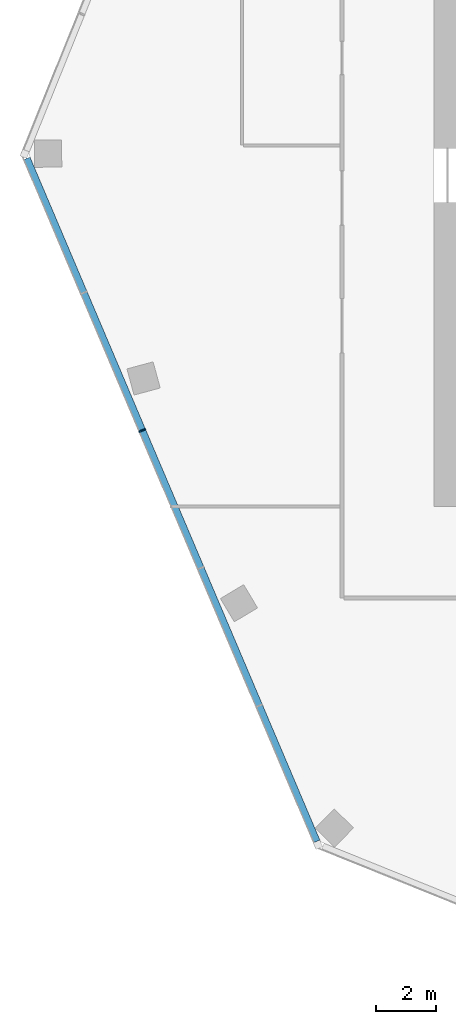
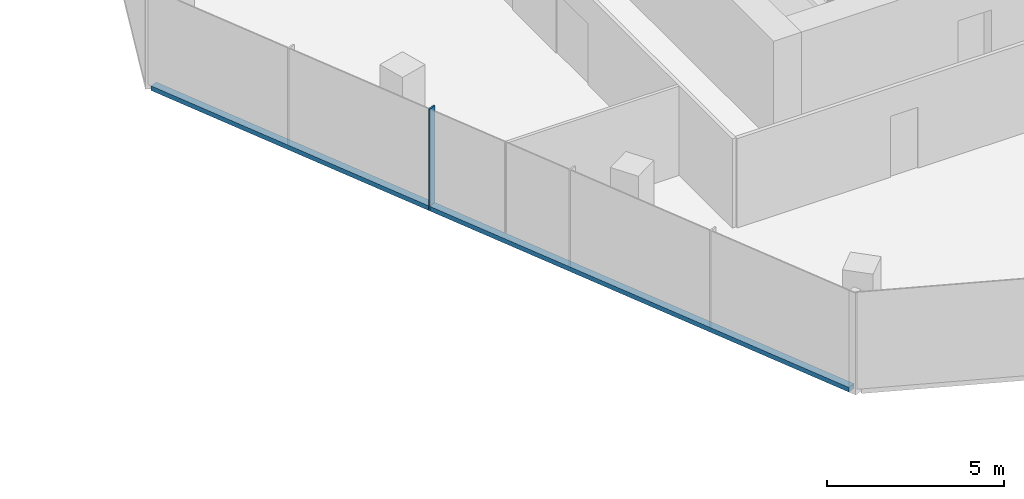
# One storey, part 3 of 16: 2 members, 1 element without a shape of its own.
"""IFC4 building model written with IfcOpenShell, lengths in metres."""

import ifcopenshell
import ifcopenshell.guid

model = None  # the IFC model being written
_history = None  # IfcOwnerHistory: only IFC2X3 demands one
_inside = {}  # id of a spatial element -> (the spatial element, [elements in it])
_under = {}  # id of a project, library or spatial element -> (it, [spatial elements below it])
_declared = {}  # id of a project -> (the project, [libraries it declares])
_typed = {}  # id of a type object -> (the type object, [elements of that type])
_made_of = {}  # id of a material, layer set ... -> (it, [elements and type objects made of it])


def new_model(schema):
    """Start an empty IFC model of exactly this schema.

    Asked for "IFC4X3", IfcOpenShell would pick the latest addendum, in which some entities
    have other attributes; the version numbers below select the first issue.
    IFC2X3 requires an IfcOwnerHistory on every rooted entity: one is made here for all.
    """
    global model, _history
    if schema == "IFC4X3":
        model = ifcopenshell.file(schema_version=(4, 3, 0, 0))
    else:
        model = ifcopenshell.file(schema=schema)
    _inside.clear()
    _under.clear()
    _declared.clear()
    _typed.clear()
    _made_of.clear()
    _history = None
    if model.schema == "IFC2X3":
        org = make("IfcOrganization", Name="unknown")
        user = make(
            "IfcPersonAndOrganization",
            ThePerson=make("IfcPerson", FamilyName="unknown"),
            TheOrganization=org,
        )
        app = make(
            "IfcApplication",
            ApplicationDeveloper=org,
            Version="unknown",
            ApplicationFullName="unknown",
            ApplicationIdentifier="unknown",
        )
        _history = make(
            "IfcOwnerHistory",
            OwningUser=user,
            OwningApplication=app,
            ChangeAction="ADDED",
            CreationDate=0,
        )
    return model


def make(cls, **values):
    """One entity of the class cls with the attributes given. An attribute that is None is left unset."""
    return model.create_entity(
        cls, **{name: value for name, value in values.items() if value is not None}
    )


def rooted(cls, **values):
    """An entity with a GlobalId (a new one), such as an element, a storey or a relation."""
    return make(cls, GlobalId=ifcopenshell.guid.new(), OwnerHistory=_history, **values)


def si_unit(unit_type, name, prefix=None):
    """IfcSIUnit, for example si_unit("LENGTHUNIT", "METRE", prefix="MILLI")."""
    return make("IfcSIUnit", UnitType=unit_type, Prefix=prefix, Name=name)


def assignment(units):
    """IfcUnitAssignment: the units of a project."""
    return None if units is None else make("IfcUnitAssignment", Units=units)


def point(xyz):
    """IfcCartesianPoint."""
    return None if xyz is None else make("IfcCartesianPoint", Coordinates=xyz)


def direction(xyz):
    """IfcDirection."""
    return None if xyz is None else make("IfcDirection", DirectionRatios=xyz)


def frame(location, z_axis=None, x_axis=None):
    """IfcAxis2Placement3D, a coordinate frame: its origin and axes. An axis left out is left unset."""
    return make(
        "IfcAxis2Placement3D",
        Location=point(location),
        Axis=direction(z_axis),
        RefDirection=direction(x_axis),
    )


def frame_2d(location, x_axis=None):
    """IfcAxis2Placement2D, a coordinate frame in the plane: its origin and x axis."""
    return make(
        "IfcAxis2Placement2D", Location=point(location), RefDirection=direction(x_axis)
    )


def origin():
    """The frame at (0, 0, 0) with its axes left unset."""
    return frame((0.0, 0.0, 0.0))


def origin_2d():
    """The frame at (0, 0) in the plane with its x axis left unset."""
    return frame_2d((0.0, 0.0))


def place(relative_to, where):
    """IfcLocalPlacement: puts the frame where relative to a parent placement (None: the world)."""
    return make(
        "IfcLocalPlacement", PlacementRelTo=relative_to, RelativePlacement=where
    )


def context(
    kind, dimensions, precision=None, world=None, true_north=None, identifier=None
):
    """IfcGeometricRepresentationContext, for example the 3D "Model" context."""
    return make(
        "IfcGeometricRepresentationContext",
        ContextIdentifier=identifier,
        ContextType=kind,
        CoordinateSpaceDimension=dimensions,
        Precision=precision,
        WorldCoordinateSystem=world,
        TrueNorth=true_north,
    )


def subcontext(parent, identifier, kind, view, scale=None):
    """IfcGeometricRepresentationSubContext, for example "Body" below "Model"."""
    return make(
        "IfcGeometricRepresentationSubContext",
        ContextIdentifier=identifier,
        ContextType=kind,
        ParentContext=parent,
        TargetScale=scale,
        TargetView=view,
    )


def project(units=None, contexts=None):
    """IfcProject with its units and contexts."""
    return rooted(
        "IfcProject",
        Name="project",
        RepresentationContexts=contexts,
        UnitsInContext=assignment(units),
    )


def spatial(cls, under=None, at=None, **own):
    """A site, building, storey or space (cls), placed at a placement, below another one or the project."""
    s = rooted(cls, ObjectPlacement=at, **own)
    if under is not None:
        _under.setdefault(under.id(), (under, []))[1].append(s)
    return s


def profile(cls, at=None, kind="AREA", **sizes):
    """A parametric profile (cls). Its sizes go by their IFC names, for example OverallWidth=200.0."""
    return make(cls, ProfileType=kind, Position=at, **sizes)


def rectangle(**sizes):
    """IfcRectangleProfileDef."""
    return profile("IfcRectangleProfileDef", **sizes)


def extrude(swept, where, along, depth):
    """IfcExtrudedAreaSolid: the profile swept, set in the frame where, extruded along a direction by depth."""
    return make(
        "IfcExtrudedAreaSolid",
        SweptArea=swept,
        Position=where,
        ExtrudedDirection=direction(along),
        Depth=depth,
    )


def shape(context_of_items, identifier, shape_type, items):
    """IfcShapeRepresentation: the items that make up one representation, for example the "Body"."""
    return make(
        "IfcShapeRepresentation",
        ContextOfItems=context_of_items,
        RepresentationIdentifier=identifier,
        RepresentationType=shape_type,
        Items=items,
    )


def material(Name=None, Category=None):
    """IfcMaterial."""
    return make("IfcMaterial", Name=Name, Category=Category)


def material_profile(
    of_material, cross_section, Name=None, Category=None, Priority=None
):
    """IfcMaterialProfile: a cross section and its material."""
    return make(
        "IfcMaterialProfile",
        Name=Name,
        Material=of_material,
        Profile=cross_section,
        Priority=Priority,
        Category=Category,
    )


def profile_set(profiles, Name=None, composite=None):
    """IfcMaterialProfileSet."""
    return make(
        "IfcMaterialProfileSet",
        Name=Name,
        MaterialProfiles=profiles,
        CompositeProfile=composite,
    )


def made_of(thing, what):
    """Note that an element or type object is made of a material, layer set ...; save() writes the relation."""
    if what is not None:
        _made_of.setdefault(what.id(), (what, []))[1].append(thing)
    return thing


def type_object(cls, material=None, **own):
    """A type object (cls), such as IfcWallType, which elements share."""
    return made_of(rooted(cls, **own), material)


def element(
    cls,
    number,
    at=None,
    inside=None,
    cuts=None,
    type_object=None,
    material=None,
    context=None,
    identifier="Body",
    shape_type=None,
    held_by="IfcProductDefinitionShape",
    body=None,
    shapes=None,
    **own,
):
    """One element of the class cls, such as IfcWall. Its Tag is "e" and its number.

    at: its placement. inside: the storey or other place that contains it. cuts: it is an
    opening in that element (IfcRelVoidsElement). A single representation is given by context,
    identifier, shape_type and body (its items); several are given by shapes. held_by: the class
    of the entity that holds the representations. save() writes the other relations.
    """
    e = rooted(cls, Tag="e%d" % number, ObjectPlacement=at, **own)
    if body is not None:
        shapes = [shape(context, identifier, shape_type, body)]
    if shapes is not None:
        e.Representation = make(held_by, Representations=shapes)
    if inside is not None:
        _inside.setdefault(inside.id(), (inside, []))[1].append(e)
    if cuts is not None:
        rooted(
            "IfcRelVoidsElement", RelatingBuildingElement=cuts, RelatedOpeningElement=e
        )
    if type_object is not None:
        _typed.setdefault(type_object.id(), (type_object, []))[1].append(e)
    return made_of(e, material)


def aggregate(whole, parts):
    """IfcRelAggregates: a whole, such as a stair, and the parts it consists of."""
    return rooted("IfcRelAggregates", RelatingObject=whole, RelatedObjects=parts)


def save(model, path):
    """Write the relations noted so far, then the file.

    IfcRelAggregates (storeys below a building ...), IfcRelContainedInSpatialStructure (elements
    in a storey), IfcRelDefinesByType, IfcRelAssociatesMaterial and IfcRelDeclares: one each for
    every whole, place, type object, material and project.
    """
    for whole, parts in _under.values():
        aggregate(whole, parts)
    for where, things in _inside.values():
        rooted(
            "IfcRelContainedInSpatialStructure",
            RelatedElements=things,
            RelatingStructure=where,
        )
    for kind, things in _typed.values():
        rooted("IfcRelDefinesByType", RelatedObjects=things, RelatingType=kind)
    for what, things in _made_of.values():
        rooted("IfcRelAssociatesMaterial", RelatedObjects=things, RelatingMaterial=what)
    for by, libraries in _declared.values():
        rooted("IfcRelDeclares", RelatingContext=by, RelatedDefinitions=libraries)
    model.write(path)


model = new_model("IFC4")

# Units and contexts
model_context = context("Model", 3, precision=1e-05, world=origin(), true_north=direction((0.0, 1.0)))
body_context = subcontext(model_context, "Body", "Model", "MODEL_VIEW")
ifc_project = project(units=[si_unit("LENGTHUNIT", "METRE"), si_unit("AREAUNIT", "SQUARE_METRE"), si_unit("VOLUMEUNIT", "CUBIC_METRE"), si_unit("PLANEANGLEUNIT", "RADIAN"), si_unit("MASSUNIT", "GRAM", prefix="KILO")], contexts=[model_context])

# Site, building, storey
site_placement = place(None, origin())
site = spatial("IfcSite", under=ifc_project, at=site_placement, CompositionType="ELEMENT")
building_placement = place(site_placement, origin())
building = spatial("IfcBuilding", under=site, at=building_placement, Name="Orlundy Tower", CompositionType="ELEMENT")
storey_placement = place(building_placement, frame((0.0, 0.0, 285.89990234375)))
storey = spatial("IfcBuildingStorey", under=building, at=storey_placement, Name="L76", CompositionType="ELEMENT", Elevation=285.89990234375)

# Curtain wall, members
ifc_material_1 = material(Name="Aluminium bronze anodised", Category="aluminium")
curtain_wall_type = type_object("IfcCurtainWallType", Name="CW6 wall", PredefinedType="NOTDEFINED", material=ifc_material_1)
curtain_wall_placement = place(storey_placement, origin())
curtain_wall = element("IfcCurtainWall", 1, at=curtain_wall_placement, inside=storey, type_object=curtain_wall_type, Name="CW6 run 014", PredefinedType="NOTDEFINED")
ifc_material_2 = material(Name="Aluminium bronze anodised", Category="aluminium")
ifc_material_profile_1 = material_profile(ifc_material_2, rectangle(XDim=0.239990234375, YDim=0.050048828125, at=origin_2d()), Name="CW6 mullion 50x240")
ifc_profile_set_1 = profile_set([ifc_material_profile_1], Name="Aluminium bronze anodised")
member_type_1 = type_object("IfcMemberType", Name="CW6 mullion 50x240", PredefinedType="MULLION", material=ifc_profile_set_1)
member_1_placement = place(storey_placement, frame((-28.697021484375, -9.481201171875, -0.39990234375), z_axis=(0.0, 0.0, 1.0), x_axis=(-0.920506804854, -0.390726531244, 0.0)))
member_1 = element("IfcMember", 2, at=member_1_placement, type_object=member_type_1, Name="CW6 mullion 25", PredefinedType="MULLION", context=body_context, shape_type="SweptSolid", body=[
    extrude(rectangle(XDim=0.239990234375, YDim=0.050048828125, at=origin_2d()), origin(), (0.0, 0.0, 1.0), 3.5),
])
ifc_material_3 = material(Name="Aluminium bronze anodised", Category="aluminium")
ifc_material_profile_2 = material_profile(ifc_material_3, rectangle(XDim=0.239990234375, YDim=0.159912109375, at=origin_2d()), Name="CW6 transom 240x160")
ifc_profile_set_2 = profile_set([ifc_material_profile_2], Name="Aluminium bronze anodised")
member_type_2 = type_object("IfcMemberType", Name="CW6 transom 240x160", PredefinedType="USERDEFINED", material=ifc_profile_set_2)
member_2_placement = place(storey_placement, frame((-22.89794921875, -23.14306640625, -0.31982421875), z_axis=(-0.390731856881, 0.920504544268, 0.0), x_axis=(-0.920504544268, -0.390731856881, 0.0)))
member_2 = element("IfcMember", 3, at=member_2_placement, type_object=member_type_2, Name="CW6 transom", ObjectType="TRANSOM", PredefinedType="USERDEFINED", context=body_context, shape_type="SweptSolid", body=[
    extrude(rectangle(XDim=0.239990234375, YDim=0.159912109375, at=origin_2d()), origin(), (0.0, 0.0, 1.0), 24.663330078125),
])
aggregate(curtain_wall, [member_1, member_2])

save(model, "model.ifc")
